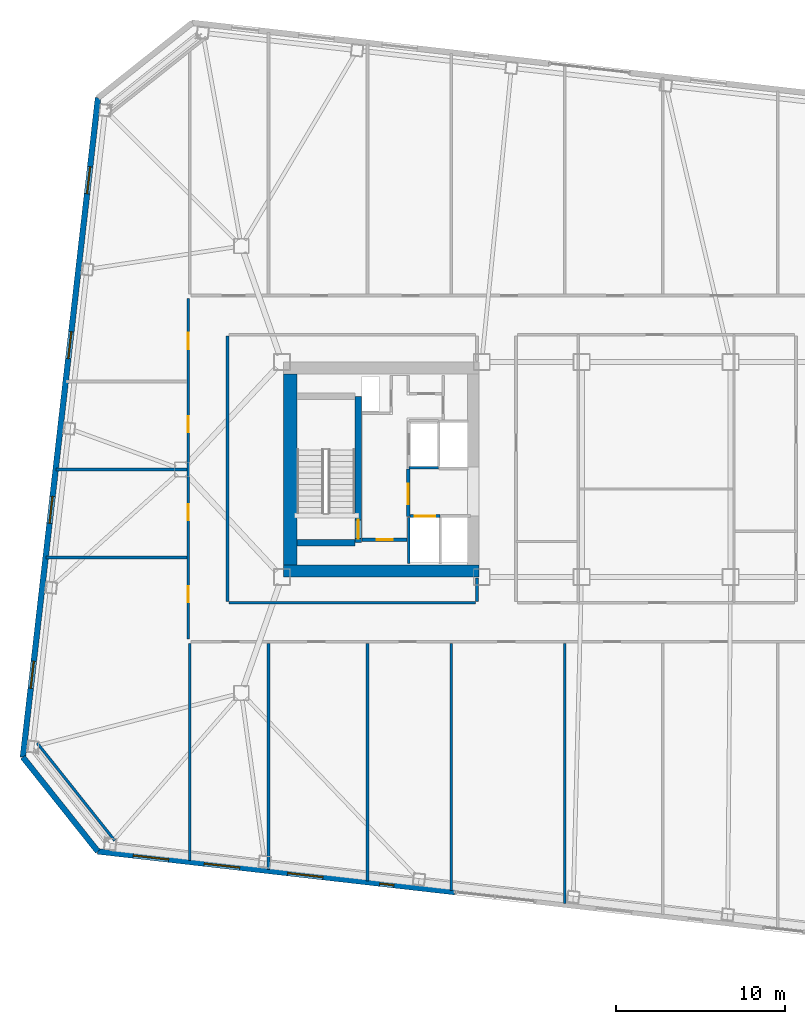
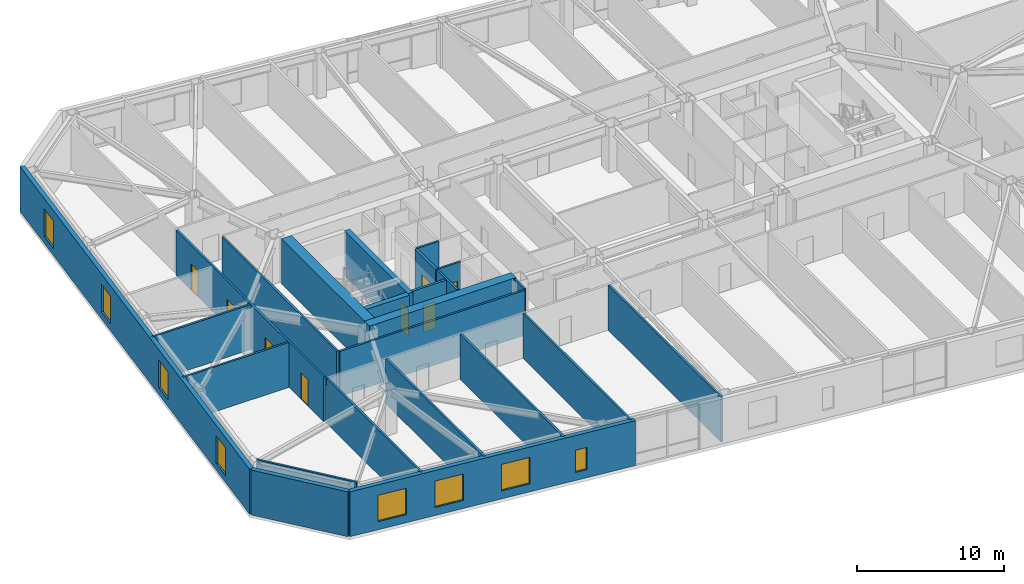
# One storey, part 11 of 21: 24 walls, 8 doors, 8 windows, 16 openings.
"""IFC4 building model written with IfcOpenShell, lengths in metres."""

from ifc_helpers import new_model, si_unit, direction, frame, frame_2d, origin, place, context, subcontext, project, spatial, rectangle, extrude, material, layer, layer_set, type_object, element, fill, save


model = new_model("IFC4")

# Units and contexts
model_context = context("Model", 3, precision=1e-05, world=origin(), true_north=direction((0.0, 1.0)))
body_context = subcontext(model_context, "Body", "Model", "MODEL_VIEW")
ifc_project = project(units=[si_unit("LENGTHUNIT", "METRE"), si_unit("AREAUNIT", "SQUARE_METRE"), si_unit("VOLUMEUNIT", "CUBIC_METRE"), si_unit("PLANEANGLEUNIT", "RADIAN"), si_unit("MASSUNIT", "GRAM", prefix="KILO")], contexts=[model_context])

# Site, building, storey
site_placement = place(None, origin())
site = spatial("IfcSite", under=ifc_project, at=site_placement, CompositionType="ELEMENT")
building_placement = place(site_placement, origin())
building = spatial("IfcBuilding", under=site, at=building_placement, Name="Tavrogorsk Clinical Tower", CompositionType="ELEMENT")
storey_placement = place(building_placement, frame((0.0, 0.0, 133.39990234375)))
storey = spatial("IfcBuildingStorey", under=building, at=storey_placement, Name="L30", CompositionType="ELEMENT", Elevation=133.39990234375)

# Wall, opening, door
ifc_material_1 = material(Name="Concrete B60", Category="concrete")
ifc_layer_1 = layer(ifc_material_1, 0.199951171875)
ifc_layer_set_1 = layer_set([ifc_layer_1], Name="Concrete B60")
wall_type_1 = type_object("IfcWallType", Name="CoreFireWall_200", PredefinedType="SOLIDWALL", material=ifc_layer_set_1)
wall_1_placement = place(storey_placement, frame((-17.3798828125, -4.139892578125, 0.0), z_axis=(0.0, 0.0, 1.0), x_axis=(1.0, 0.0, 0.0)))
wall_1 = element("IfcWall", 1, at=wall_1_placement, inside=storey, type_object=wall_type_1, Name="L30 Core West South Core Room Fire Wall", PredefinedType="SOLIDWALL", context=body_context, shape_type="SweptSolid", body=[
    extrude(rectangle(XDim=2.659912109375, YDim=0.199951171875, at=frame_2d((1.330078125, 0.0))), origin(), (0.0, 0.0, 1.0), 3.739990234375),
])
opening_1_placement = place(wall_1_placement, frame((0.8798828125, 0.0, 0.0)))
opening_1 = element("IfcOpeningElement", 2, at=opening_1_placement, cuts=wall_1, Name="Opening ID-02", PredefinedType="OPENING", context=body_context, shape_type="SweptSolid", body=[
    extrude(rectangle(XDim=0.949951171875, YDim=2.199951171875, at=frame_2d((0.47509765625, 1.10009765625))), frame((0.0, 0.10986328125, 0.0), z_axis=(0.0, -1.0, 0.0), x_axis=(1.0, 0.0, 0.0)), (0.0, 0.0, 1.0), 0.219970703125),
])
ifc_material_2 = material(Name="Laminated timber leaf on aluminium frame", Category="wood")
door_type_1 = type_object("IfcDoorType", Name="InteriorDoor_ID02_950", OperationType="NOTDEFINED", PredefinedType="DOOR", material=ifc_material_2)
door_1_placement = place(opening_1_placement, origin())
door_1 = element("IfcDoor", 3, at=door_1_placement, inside=storey, type_object=door_type_1, Name="L30 Core West South Core Room Door", OperationType="SINGLE_SWING_RIGHT", OverallHeight=2.199951171875, OverallWidth=0.949951171875, PredefinedType="DOOR", context=body_context, shape_type="SweptSolid", body=[
    extrude(rectangle(XDim=0.949951171875, YDim=2.199951171875, at=frame_2d((0.47509765625, 1.10009765625))), frame((0.0, 0.02490234375, 0.0), z_axis=(0.0, -1.0, 0.0), x_axis=(1.0, 0.0, 0.0)), (0.0, 0.0, 1.0), 0.050048828125),
])
fill(opening_1, door_1)

wall_2_placement = place(storey_placement, frame((-14.639892578125, -2.780029296875, 0.0), z_axis=(0.0, 0.0, 1.0), x_axis=(0.0, 1.0, 0.0)))
wall_2 = element("IfcWall", 4, at=wall_2_placement, inside=storey, type_object=wall_type_1, Name="L30 Core West Firefighting Lobby Fire Wall", PredefinedType="SOLIDWALL", context=body_context, shape_type="SweptSolid", body=[
    extrude(rectangle(XDim=2.820068359375, YDim=0.199951171875, at=frame_2d((1.41015625, 0.0))), origin(), (0.0, 0.0, 1.0), 3.739990234375),
])
opening_2_placement = place(wall_2_placement, frame((0.72998046875, 0.0, 0.0)))
opening_2 = element("IfcOpeningElement", 5, at=opening_2_placement, cuts=wall_2, Name="Opening FD-01", PredefinedType="OPENING", context=body_context, shape_type="SweptSolid", body=[
    extrude(rectangle(XDim=1.199951171875, YDim=2.199951171875, at=frame_2d((0.60009765625, 1.10009765625))), frame((0.0, 0.10986328125, 0.0), z_axis=(0.0, -1.0, 0.0), x_axis=(1.0, 0.0, 0.0)), (0.0, 0.0, 1.0), 0.219970703125),
])
ifc_material_3 = material(Name="Galvanised steel fire-rated door assembly", Category="steel")
door_type_2 = type_object("IfcDoorType", Name="FireDoor_FD01_1200", OperationType="NOTDEFINED", PredefinedType="DOOR", material=ifc_material_3)
door_2_placement = place(opening_2_placement, origin())
door_2 = element("IfcDoor", 6, at=door_2_placement, inside=storey, type_object=door_type_2, Name="L30 Core West Firefighting Lobby Entry Door", OperationType="SINGLE_SWING_LEFT", OverallHeight=2.199951171875, OverallWidth=1.199951171875, PredefinedType="DOOR", context=body_context, shape_type="SweptSolid", body=[
    extrude(rectangle(XDim=1.199951171875, YDim=2.199951171875, at=frame_2d((0.60009765625, 1.10009765625))), frame((0.0, 0.02490234375, 0.0), z_axis=(0.0, -1.0, 0.0), x_axis=(1.0, 0.0, 0.0)), (0.0, 0.0, 1.0), 0.050048828125),
])
fill(opening_2, door_2)

# Wall
ifc_material_4 = material(Name="Lightweight concrete blockwork B15", Category="masonry")
ifc_layer_2 = layer(ifc_material_4, 0.159912109375)
ifc_layer_set_2 = layer_set([ifc_layer_2], Name="Lightweight concrete blockwork B15")
wall_type_2 = type_object("IfcWallType", Name="PartitionWall_160", PredefinedType="PARTITIONING", material=ifc_layer_set_2)
wall_3_placement = place(storey_placement, frame((-36.555908203125, -16.161865234375, 0.0), z_axis=(0.0, 0.0, 1.0), x_axis=(0.622522641622, -0.782601789334, 0.0)))
element("IfcWall", 7, at=wall_3_placement, inside=storey, type_object=wall_type_2, Name="L30 Corner Exoskeleton Brace Furring Wall 4", PredefinedType="PARTITIONING", context=body_context, shape_type="SweptSolid", body=[
    extrude(rectangle(XDim=7.354248046875, YDim=0.159912109375, at=frame_2d((3.67724609375, 0.0))), origin(), (0.0, 0.0, 1.0), 3.739990234375),
])

# Wall, openings, doors
wall_4_placement = place(storey_placement, frame((-27.6298828125, -10.014892578125, 0.0), z_axis=(0.0, 0.0, 1.0), x_axis=(0.0, 1.0, 0.0)))
wall_4 = element("IfcWall", 8, at=wall_4_placement, inside=storey, type_object=wall_type_2, Name="L30 Corridor Partition 01", PredefinedType="PARTITIONING", context=body_context, shape_type="SweptSolid", body=[
    extrude(rectangle(XDim=20.1298828125, YDim=0.159912109375, at=frame_2d((10.06494140625, 0.0))), origin(), (0.0, 0.0, 1.0), 3.739990234375),
])
opening_3_placement = place(wall_4_placement, frame((2.169189453125, 0.0, 0.0)))
opening_3 = element("IfcOpeningElement", 9, at=opening_3_placement, cuts=wall_4, Name="Opening ID-02", PredefinedType="OPENING", context=body_context, shape_type="SweptSolid", body=[
    extrude(rectangle(XDim=0.949951171875, YDim=2.199951171875, at=frame_2d((0.47509765625, 1.10009765625))), frame((0.0, 0.08984375, 0.0), z_axis=(0.0, -1.0, 0.0), x_axis=(1.0, 0.0, 0.0)), (0.0, 0.0, 1.0), 0.179931640625),
])
opening_4_placement = place(wall_4_placement, frame((7.02490234375, 0.0, 0.0)))
opening_4 = element("IfcOpeningElement", 10, at=opening_4_placement, cuts=wall_4, Name="Opening ID-02", PredefinedType="OPENING", context=body_context, shape_type="SweptSolid", body=[
    extrude(rectangle(XDim=0.949951171875, YDim=2.199951171875, at=frame_2d((0.47509765625, 1.10009765625))), frame((0.0, 0.08984375, 0.0), z_axis=(0.0, -1.0, 0.0), x_axis=(1.0, 0.0, 0.0)), (0.0, 0.0, 1.0), 0.179931640625),
])
opening_5_placement = place(wall_4_placement, frame((12.22509765625, 0.0, 0.0)))
opening_5 = element("IfcOpeningElement", 11, at=opening_5_placement, cuts=wall_4, Name="Opening ID-02", PredefinedType="OPENING", context=body_context, shape_type="SweptSolid", body=[
    extrude(rectangle(XDim=0.949951171875, YDim=2.199951171875, at=frame_2d((0.47509765625, 1.10009765625))), frame((0.0, 0.08984375, 0.0), z_axis=(0.0, -1.0, 0.0), x_axis=(1.0, 0.0, 0.0)), (0.0, 0.0, 1.0), 0.179931640625),
])
opening_6_placement = place(wall_4_placement, frame((17.130859375, 0.0, 0.0)))
opening_6 = element("IfcOpeningElement", 12, at=opening_6_placement, cuts=wall_4, Name="Opening ID-02", PredefinedType="OPENING", context=body_context, shape_type="SweptSolid", body=[
    extrude(rectangle(XDim=0.949951171875, YDim=2.199951171875, at=frame_2d((0.47509765625, 1.10009765625))), frame((0.0, 0.08984375, 0.0), z_axis=(0.0, -1.0, 0.0), x_axis=(1.0, 0.0, 0.0)), (0.0, 0.0, 1.0), 0.179931640625),
])
door_3_placement = place(opening_3_placement, origin())
door_3 = element("IfcDoor", 13, at=door_3_placement, inside=storey, type_object=door_type_1, Name="L30 W Solarium Day Room & Lounge 1 Door", OperationType="SINGLE_SWING_RIGHT", OverallHeight=2.199951171875, OverallWidth=0.949951171875, PredefinedType="DOOR", context=body_context, shape_type="SweptSolid", body=[
    extrude(rectangle(XDim=0.949951171875, YDim=2.199951171875, at=frame_2d((0.47509765625, 1.10009765625))), frame((0.0, 0.02490234375, 0.0), z_axis=(0.0, -1.0, 0.0), x_axis=(1.0, 0.0, 0.0)), (0.0, 0.0, 1.0), 0.050048828125),
])
fill(opening_3, door_3)
door_4_placement = place(opening_4_placement, origin())
door_4 = element("IfcDoor", 14, at=door_4_placement, inside=storey, type_object=door_type_1, Name="L30 W Rehabilitation Therapy Suite 2 Door", OperationType="SINGLE_SWING_LEFT", OverallHeight=2.199951171875, OverallWidth=0.949951171875, PredefinedType="DOOR", context=body_context, shape_type="SweptSolid", body=[
    extrude(rectangle(XDim=0.949951171875, YDim=2.199951171875, at=frame_2d((0.47509765625, 1.10009765625))), frame((0.0, 0.02490234375, 0.0), z_axis=(0.0, -1.0, 0.0), x_axis=(1.0, 0.0, 0.0)), (0.0, 0.0, 1.0), 0.050048828125),
])
fill(opening_4, door_4)
door_5_placement = place(opening_5_placement, origin())
door_5 = element("IfcDoor", 15, at=door_5_placement, inside=storey, type_object=door_type_1, Name="L30 W Sub-Acute Observation Suite 3 Door", OperationType="SINGLE_SWING_RIGHT", OverallHeight=2.199951171875, OverallWidth=0.949951171875, PredefinedType="DOOR", context=body_context, shape_type="SweptSolid", body=[
    extrude(rectangle(XDim=0.949951171875, YDim=2.199951171875, at=frame_2d((0.47509765625, 1.10009765625))), frame((0.0, 0.02490234375, 0.0), z_axis=(0.0, -1.0, 0.0), x_axis=(1.0, 0.0, 0.0)), (0.0, 0.0, 1.0), 0.050048828125),
])
fill(opening_5, door_5)
door_6_placement = place(opening_6_placement, origin())
door_6 = element("IfcDoor", 16, at=door_6_placement, inside=storey, type_object=door_type_1, Name="L30 W Family Consultation Lounge 4 Door", OperationType="SINGLE_SWING_LEFT", OverallHeight=2.199951171875, OverallWidth=0.949951171875, PredefinedType="DOOR", context=body_context, shape_type="SweptSolid", body=[
    extrude(rectangle(XDim=0.949951171875, YDim=2.199951171875, at=frame_2d((0.47509765625, 1.10009765625))), frame((0.0, 0.02490234375, 0.0), z_axis=(0.0, -1.0, 0.0), x_axis=(1.0, 0.0, 0.0)), (0.0, 0.0, 1.0), 0.050048828125),
])
fill(opening_6, door_6)

# Walls
wall_5_placement = place(storey_placement, frame((-10.580078125, -7.784912109375, 0.0), z_axis=(0.0, 0.0, 1.0), x_axis=(0.0, 1.0, 0.0)))
element("IfcWall", 17, at=wall_5_placement, inside=storey, type_object=wall_type_2, Name="L30 Corridor Partition 14", PredefinedType="PARTITIONING", context=body_context, shape_type="SweptSolid", body=[
    extrude(rectangle(XDim=1.364990234375, YDim=0.159912109375, at=frame_2d((0.6826171875, 0.0))), origin(), (0.0, 0.0, 1.0), 3.739990234375),
])
wall_6_placement = place(storey_placement, frame((-25.320068359375, 7.885009765625, 0.0), z_axis=(0.0, 0.0, 1.0), x_axis=(0.0, -1.0, 0.0)))
element("IfcWall", 18, at=wall_6_placement, inside=storey, type_object=wall_type_2, Name="L30 Corridor Partition 17", PredefinedType="PARTITIONING", context=body_context, shape_type="SweptSolid", body=[
    extrude(rectangle(XDim=15.669921875, YDim=0.159912109375, at=frame_2d((7.8349609375, 0.0))), origin(), (0.0, 0.0, 1.0), 3.739990234375),
])
wall_7_placement = place(storey_placement, frame((-25.235107421875, -7.8701171875, 0.0), z_axis=(0.0, 0.0, 1.0), x_axis=(1.0, 0.0, 0.0)))
element("IfcWall", 19, at=wall_7_placement, inside=storey, type_object=wall_type_2, Name="L30 Corridor Partition 18", PredefinedType="PARTITIONING", context=body_context, shape_type="SweptSolid", body=[
    extrude(rectangle(XDim=14.570068359375, YDim=0.159912109375, at=frame_2d((7.28515625, 0.0))), origin(), (0.0, 0.0, 1.0), 3.739990234375),
])
wall_8_placement = place(storey_placement, frame((-27.550048828125, -23.1064453125, 0.0), z_axis=(0.0, 0.0, 1.0), x_axis=(0.0, 1.0, 0.0)))
element("IfcWall", 20, at=wall_8_placement, inside=storey, type_object=wall_type_2, Name="L30 SW Wing Closure Partition", PredefinedType="PARTITIONING", context=body_context, shape_type="SweptSolid", body=[
    extrude(rectangle(XDim=12.841552734375, YDim=0.159912109375, at=frame_2d((6.4208984375, 0.0))), origin(), (0.0, 0.0, 1.0), 3.739990234375),
])
wall_9_placement = place(storey_placement, frame((-22.89990234375, -23.63623046875, 0.0), z_axis=(0.0, 0.0, 1.0), x_axis=(0.0, 1.0, 0.0)))
element("IfcWall", 21, at=wall_9_placement, inside=storey, type_object=wall_type_2, Name="L30 South Room Partition 1", PredefinedType="PARTITIONING", context=body_context, shape_type="SweptSolid", body=[
    extrude(rectangle(XDim=13.371337890625, YDim=0.159912109375, at=frame_2d((6.685546875, 0.0))), origin(), (0.0, 0.0, 1.0), 3.739990234375),
])
wall_10_placement = place(storey_placement, frame((-12.10009765625, -24.86669921875, 0.0), z_axis=(0.0, 0.0, 1.0), x_axis=(0.0, 1.0, 0.0)))
element("IfcWall", 22, at=wall_10_placement, inside=storey, type_object=wall_type_2, Name="L30 South Room Partition 2", PredefinedType="PARTITIONING", context=body_context, shape_type="SweptSolid", body=[
    extrude(rectangle(XDim=14.601806640625, YDim=0.159912109375, at=frame_2d((7.30078125, 0.0))), origin(), (0.0, 0.0, 1.0), 3.739990234375),
])
wall_11_placement = place(storey_placement, frame((-17.050048828125, -24.302734375, 0.0), z_axis=(0.0, 0.0, 1.0), x_axis=(0.0, 1.0, 0.0)))
element("IfcWall", 23, at=wall_11_placement, inside=storey, type_object=wall_type_2, Name="L30 South Sub-Partition 2", PredefinedType="PARTITIONING", context=body_context, shape_type="SweptSolid", body=[
    extrude(rectangle(XDim=14.037841796875, YDim=0.159912109375, at=frame_2d((7.01904296875, 0.0))), origin(), (0.0, 0.0, 1.0), 3.739990234375),
])
wall_12_placement = place(storey_placement, frame((-5.39990234375, -25.630126953125, 0.0), z_axis=(0.0, 0.0, 1.0), x_axis=(0.0, 1.0, 0.0)))
element("IfcWall", 24, at=wall_12_placement, inside=storey, type_object=wall_type_2, Name="L30 South Sub-Partition 3", PredefinedType="PARTITIONING", context=body_context, shape_type="SweptSolid", body=[
    extrude(rectangle(XDim=15.365234375, YDim=0.159912109375, at=frame_2d((7.6826171875, 0.0))), origin(), (0.0, 0.0, 1.0), 3.739990234375),
])
wall_13_placement = place(storey_placement, frame((-36.0419921875, -5.199951171875, 0.0), z_axis=(0.0, 0.0, 1.0), x_axis=(1.0, 0.0, 0.0)))
element("IfcWall", 25, at=wall_13_placement, inside=storey, type_object=wall_type_2, Name="L30 W Wing Divider 1", PredefinedType="PARTITIONING", context=body_context, shape_type="SweptSolid", body=[
    extrude(rectangle(XDim=8.326904296875, YDim=0.159912109375, at=frame_2d((4.16357421875, 0.0))), origin(), (0.0, 0.0, 1.0), 3.739990234375),
])
wall_14_placement = place(storey_placement, frame((-35.449462890625, 0.0, 0.0), z_axis=(0.0, 0.0, 1.0), x_axis=(1.0, 0.0, 0.0)))
element("IfcWall", 26, at=wall_14_placement, inside=storey, type_object=wall_type_2, Name="L30 W Wing Divider 2", PredefinedType="PARTITIONING", context=body_context, shape_type="SweptSolid", body=[
    extrude(rectangle(XDim=7.734375, YDim=0.159912109375, at=frame_2d((3.8671875, 0.0))), origin(), (0.0, 0.0, 1.0), 3.739990234375),
])

# Wall, openings, windows
ifc_material_5 = material(Name="Precast concrete B45 with limestone cladding", Category="masonry")
ifc_layer_3 = layer(ifc_material_5, 0.340087890625)
ifc_layer_set_3 = layer_set([ifc_layer_3], Name="Precast concrete B45 with limestone cladding")
wall_type_3 = type_object("IfcWallType", Name="PrecastLimestoneWall_340", PredefinedType="STANDARD", material=ifc_layer_set_3)
wall_15_placement = place(storey_placement, frame((-32.977294921875, -22.55859375, 0.0), z_axis=(0.0, 0.0, 1.0), x_axis=(0.993571214605, -0.113208840243, 0.0)))
wall_15 = element("IfcWall", 27, at=wall_15_placement, inside=storey, type_object=wall_type_3, Name="L30 S Limestone Facade Wall 1", PredefinedType="STANDARD", context=body_context, shape_type="SweptSolid", body=[
    extrude(rectangle(XDim=21.22265625, YDim=0.340087890625, at=frame_2d((10.611328125, 0.0))), origin(), (0.0, 0.0, 1.0), 3.739990234375),
])
opening_7_placement = place(wall_15_placement, frame((2.10791015625, 0.0, 0.669921875)))
opening_7 = element("IfcOpeningElement", 28, at=opening_7_placement, cuts=wall_15, Name="Opening WN-03", PredefinedType="OPENING", context=body_context, shape_type="SweptSolid", body=[
    extrude(rectangle(XDim=2.10009765625, YDim=2.199951171875, at=frame_2d((1.050048828125, 1.10009765625))), frame((0.0, 0.179931640625, 0.0), z_axis=(0.0, -1.0, 0.0), x_axis=(1.0, 0.0, 0.0)), (0.0, 0.0, 1.0), 0.360107421875),
])
opening_8_placement = place(wall_15_placement, frame((6.329345703125, 0.0, 0.669921875)))
opening_8 = element("IfcOpeningElement", 29, at=opening_8_placement, cuts=wall_15, Name="Opening WN-03", PredefinedType="OPENING", context=body_context, shape_type="SweptSolid", body=[
    extrude(rectangle(XDim=2.10009765625, YDim=2.199951171875, at=frame_2d((1.050048828125, 1.10009765625))), frame((0.0, 0.179931640625, 0.0), z_axis=(0.0, -1.0, 0.0), x_axis=(1.0, 0.0, 0.0)), (0.0, 0.0, 1.0), 0.360107421875),
])
opening_9_placement = place(wall_15_placement, frame((11.284912109375, 0.0, 0.669921875)))
opening_9 = element("IfcOpeningElement", 30, at=opening_9_placement, cuts=wall_15, Name="Opening WN-03", PredefinedType="OPENING", context=body_context, shape_type="SweptSolid", body=[
    extrude(rectangle(XDim=2.10009765625, YDim=2.199951171875, at=frame_2d((1.050048828125, 1.10009765625))), frame((0.0, 0.179931640625, 0.0), z_axis=(0.0, -1.0, 0.0), x_axis=(1.0, 0.0, 0.0)), (0.0, 0.0, 1.0), 0.360107421875),
])
opening_10_placement = place(wall_15_placement, frame((16.75634765625, 0.0, 0.669921875)))
opening_10 = element("IfcOpeningElement", 31, at=opening_10_placement, cuts=wall_15, Name="Opening WN-06", PredefinedType="OPENING", context=body_context, shape_type="SweptSolid", body=[
    extrude(rectangle(XDim=0.85009765625, YDim=1.85009765625, at=frame_2d((0.425048828125, 0.925048828125))), frame((0.0, 0.179931640625, 0.0), z_axis=(0.0, -1.0, 0.0), x_axis=(1.0, 0.0, 0.0)), (0.0, 0.0, 1.0), 0.360107421875),
])
ifc_material_6 = material(Name="Thermally broken aluminium frame and triple IGU", Category="aluminium")
window_type_1 = type_object("IfcWindowType", Name="MullionSubWin_850x1850", PartitioningType="SINGLE_PANEL", PredefinedType="WINDOW", material=ifc_material_6)
window_1_placement = place(opening_10_placement, origin())
window_1 = element("IfcWindow", 32, at=window_1_placement, inside=storey, type_object=window_type_1, Name="L30 S Mullion Split Window 04B", OverallHeight=1.85009765625, OverallWidth=0.85009765625, PartitioningType="SINGLE_PANEL", PredefinedType="WINDOW", context=body_context, shape_type="SweptSolid", body=[
    extrude(rectangle(XDim=0.85009765625, YDim=1.85009765625, at=frame_2d((0.425048828125, 0.925048828125))), frame((0.0, 0.030029296875, 0.0), z_axis=(0.0, -1.0, 0.0), x_axis=(1.0, 0.0, 0.0)), (0.0, 0.0, 1.0), 0.06005859375),
])
fill(opening_10, window_1)
ifc_material_7 = material(Name="Thermally broken aluminium frame and triple IGU", Category="aluminium")
window_type_2 = type_object("IfcWindowType", Name="PatientTwinWin_2100x2200", PartitioningType="DOUBLE_PANEL_VERTICAL", PredefinedType="WINDOW", material=ifc_material_7)
window_2_placement = place(opening_7_placement, origin())
window_2 = element("IfcWindow", 33, at=window_2_placement, inside=storey, type_object=window_type_2, Name="L30 S Chicago Window 01", OverallHeight=2.199951171875, OverallWidth=2.10009765625, PartitioningType="SINGLE_PANEL", PredefinedType="WINDOW", context=body_context, shape_type="SweptSolid", body=[
    extrude(rectangle(XDim=2.10009765625, YDim=2.199951171875, at=frame_2d((1.050048828125, 1.10009765625))), frame((0.0, 0.030029296875, 0.0), z_axis=(0.0, -1.0, 0.0), x_axis=(1.0, 0.0, 0.0)), (0.0, 0.0, 1.0), 0.06005859375),
])
fill(opening_7, window_2)
window_3_placement = place(opening_8_placement, origin())
window_3 = element("IfcWindow", 34, at=window_3_placement, inside=storey, type_object=window_type_2, Name="L30 S Chicago Window 02", OverallHeight=2.199951171875, OverallWidth=2.10009765625, PartitioningType="SINGLE_PANEL", PredefinedType="WINDOW", context=body_context, shape_type="SweptSolid", body=[
    extrude(rectangle(XDim=2.10009765625, YDim=2.199951171875, at=frame_2d((1.050048828125, 1.10009765625))), frame((0.0, 0.030029296875, 0.0), z_axis=(0.0, -1.0, 0.0), x_axis=(1.0, 0.0, 0.0)), (0.0, 0.0, 1.0), 0.06005859375),
])
fill(opening_8, window_3)
window_4_placement = place(opening_9_placement, origin())
window_4 = element("IfcWindow", 35, at=window_4_placement, inside=storey, type_object=window_type_2, Name="L30 S Chicago Window 03", OverallHeight=2.199951171875, OverallWidth=2.10009765625, PartitioningType="SINGLE_PANEL", PredefinedType="WINDOW", context=body_context, shape_type="SweptSolid", body=[
    extrude(rectangle(XDim=2.10009765625, YDim=2.199951171875, at=frame_2d((1.050048828125, 1.10009765625))), frame((0.0, 0.030029296875, 0.0), z_axis=(0.0, -1.0, 0.0), x_axis=(1.0, 0.0, 0.0)), (0.0, 0.0, 1.0), 0.06005859375),
])
fill(opening_9, window_4)

wall_16_placement = place(storey_placement, frame((-32.968017578125, 21.95654296875, 0.0), z_axis=(0.0, 0.0, 1.0), x_axis=(-0.113201605824, -0.993572038877, 0.0)))
wall_16 = element("IfcWall", 36, at=wall_16_placement, inside=storey, type_object=wall_type_3, Name="L30 W Pleated Limestone Wing Wall", PredefinedType="STANDARD", context=body_context, shape_type="SweptSolid", body=[
    extrude(rectangle(XDim=39.199951171875, YDim=0.340087890625, at=frame_2d((19.60009765625, 0.0))), origin(), (0.0, 0.0, 1.0), 3.739990234375),
])
opening_11_placement = place(wall_16_placement, frame((4.10009765625, 0.0, 0.580078125)))
opening_11 = element("IfcOpeningElement", 37, at=opening_11_placement, cuts=wall_16, Name="Opening WN-07", PredefinedType="OPENING", context=body_context, shape_type="SweptSolid", body=[
    extrude(rectangle(XDim=1.60009765625, YDim=2.300048828125, at=frame_2d((0.800048828125, 1.14990234375))), frame((0.0, 0.179931640625, 0.0), z_axis=(0.0, -1.0, 0.0), x_axis=(1.0, 0.0, 0.0)), (0.0, 0.0, 1.0), 0.360107421875),
])
opening_12_placement = place(wall_16_placement, frame((13.89990234375, 0.0, 0.580078125)))
opening_12 = element("IfcOpeningElement", 38, at=opening_12_placement, cuts=wall_16, Name="Opening WN-07", PredefinedType="OPENING", context=body_context, shape_type="SweptSolid", body=[
    extrude(rectangle(XDim=1.60009765625, YDim=2.300048828125, at=frame_2d((0.800048828125, 1.14990234375))), frame((0.0, 0.179931640625, 0.0), z_axis=(0.0, -1.0, 0.0), x_axis=(1.0, 0.0, 0.0)), (0.0, 0.0, 1.0), 0.360107421875),
])
opening_13_placement = place(wall_16_placement, frame((23.699951171875, 0.0, 0.580078125)))
opening_13 = element("IfcOpeningElement", 39, at=opening_13_placement, cuts=wall_16, Name="Opening WN-07", PredefinedType="OPENING", context=body_context, shape_type="SweptSolid", body=[
    extrude(rectangle(XDim=1.60009765625, YDim=2.300048828125, at=frame_2d((0.800048828125, 1.14990234375))), frame((0.0, 0.179931640625, 0.0), z_axis=(0.0, -1.0, 0.0), x_axis=(1.0, 0.0, 0.0)), (0.0, 0.0, 1.0), 0.360107421875),
])
opening_14_placement = place(wall_16_placement, frame((33.5, 0.0, 0.580078125)))
opening_14 = element("IfcOpeningElement", 40, at=opening_14_placement, cuts=wall_16, Name="Opening WN-07", PredefinedType="OPENING", context=body_context, shape_type="SweptSolid", body=[
    extrude(rectangle(XDim=1.60009765625, YDim=2.300048828125, at=frame_2d((0.800048828125, 1.14990234375))), frame((0.0, 0.179931640625, 0.0), z_axis=(0.0, -1.0, 0.0), x_axis=(1.0, 0.0, 0.0)), (0.0, 0.0, 1.0), 0.360107421875),
])
ifc_material_8 = material(Name="Thermally broken aluminium frame and triple IGU", Category="aluminium")
window_type_3 = type_object("IfcWindowType", Name="PleatSlotWin_1600x2300", PartitioningType="SINGLE_PANEL", PredefinedType="WINDOW", material=ifc_material_8)
window_5_placement = place(opening_11_placement, origin())
window_5 = element("IfcWindow", 41, at=window_5_placement, inside=storey, type_object=window_type_3, Name="L30 W Pleat Slot Window 1", OverallHeight=2.300048828125, OverallWidth=1.60009765625, PartitioningType="SINGLE_PANEL", PredefinedType="WINDOW", context=body_context, shape_type="SweptSolid", body=[
    extrude(rectangle(XDim=1.60009765625, YDim=2.300048828125, at=frame_2d((0.800048828125, 1.14990234375))), frame((0.0, 0.030029296875, 0.0), z_axis=(0.0, -1.0, 0.0), x_axis=(1.0, 0.0, 0.0)), (0.0, 0.0, 1.0), 0.06005859375),
])
fill(opening_11, window_5)
window_6_placement = place(opening_12_placement, origin())
window_6 = element("IfcWindow", 42, at=window_6_placement, inside=storey, type_object=window_type_3, Name="L30 W Pleat Slot Window 2", OverallHeight=2.300048828125, OverallWidth=1.60009765625, PartitioningType="SINGLE_PANEL", PredefinedType="WINDOW", context=body_context, shape_type="SweptSolid", body=[
    extrude(rectangle(XDim=1.60009765625, YDim=2.300048828125, at=frame_2d((0.800048828125, 1.14990234375))), frame((0.0, 0.030029296875, 0.0), z_axis=(0.0, -1.0, 0.0), x_axis=(1.0, 0.0, 0.0)), (0.0, 0.0, 1.0), 0.06005859375),
])
fill(opening_12, window_6)
window_7_placement = place(opening_13_placement, origin())
window_7 = element("IfcWindow", 43, at=window_7_placement, inside=storey, type_object=window_type_3, Name="L30 W Pleat Slot Window 3", OverallHeight=2.300048828125, OverallWidth=1.60009765625, PartitioningType="SINGLE_PANEL", PredefinedType="WINDOW", context=body_context, shape_type="SweptSolid", body=[
    extrude(rectangle(XDim=1.60009765625, YDim=2.300048828125, at=frame_2d((0.800048828125, 1.14990234375))), frame((0.0, 0.030029296875, 0.0), z_axis=(0.0, -1.0, 0.0), x_axis=(1.0, 0.0, 0.0)), (0.0, 0.0, 1.0), 0.06005859375),
])
fill(opening_13, window_7)
window_8_placement = place(opening_14_placement, origin())
window_8 = element("IfcWindow", 44, at=window_8_placement, inside=storey, type_object=window_type_3, Name="L30 W Pleat Slot Window 4", OverallHeight=2.300048828125, OverallWidth=1.60009765625, PartitioningType="SINGLE_PANEL", PredefinedType="WINDOW", context=body_context, shape_type="SweptSolid", body=[
    extrude(rectangle(XDim=1.60009765625, YDim=2.300048828125, at=frame_2d((0.800048828125, 1.14990234375))), frame((0.0, 0.030029296875, 0.0), z_axis=(0.0, -1.0, 0.0), x_axis=(1.0, 0.0, 0.0)), (0.0, 0.0, 1.0), 0.06005859375),
])
fill(opening_14, window_8)

# Walls
wall_17_placement = place(storey_placement, frame((-37.405517578125, -16.991455078125, 0.0), z_axis=(0.0, 0.0, 1.0), x_axis=(0.622507800567, -0.78261359446, 0.0)))
element("IfcWall", 45, at=wall_17_placement, inside=storey, type_object=wall_type_3, Name="L30 Chamfered Corner Wall 4", PredefinedType="STANDARD", context=body_context, shape_type="SweptSolid", body=[
    extrude(rectangle(XDim=7.113525390625, YDim=0.340087890625, at=frame_2d((3.556640625, 0.0))), origin(), (0.0, 0.0, 1.0), 3.739990234375),
])
ifc_material_9 = material(Name="Lightweight concrete blockwork B25", Category="masonry")
ifc_layer_4 = layer(ifc_material_9, 0.159912109375)
ifc_layer_set_4 = layer_set([ifc_layer_4], Name="Lightweight concrete blockwork B25")
wall_type_4 = type_object("IfcWallType", Name="ShaftWall_160", PredefinedType="PARTITIONING", material=ifc_layer_set_4)
wall_18_placement = place(storey_placement, frame((-14.60009765625, 0.10009765625, 0.0), z_axis=(0.0, 0.0, 1.0), x_axis=(1.0, 0.0, 0.0)))
element("IfcWall", 46, at=wall_18_placement, inside=storey, type_object=wall_type_4, Name="L30 FFL-W Shaft South Wall", PredefinedType="PARTITIONING", context=body_context, shape_type="SweptSolid", body=[
    extrude(rectangle(XDim=1.760009765625, YDim=0.159912109375, at=frame_2d((0.8798828125, 0.0))), origin(), (0.0, 0.0, 1.0), 3.739990234375),
])

# Wall, opening, door
wall_19_placement = place(storey_placement, frame((-14.530029296875, -2.75, 0.0), z_axis=(0.0, 0.0, 1.0), x_axis=(1.0, 0.0, 0.0)))
wall_19 = element("IfcWall", 47, at=wall_19_placement, inside=storey, type_object=wall_type_4, Name="L30 LP-L1 Lift Shaft Portal Wall", PredefinedType="PARTITIONING", context=body_context, shape_type="SweptSolid", body=[
    extrude(rectangle(XDim=1.760009765625, YDim=0.159912109375, at=frame_2d((0.8798828125, 0.0))), origin(), (0.0, 0.0, 1.0), 3.739990234375),
])
opening_15_placement = place(wall_19_placement, frame((0.280029296875, 0.0, 0.0)))
opening_15 = element("IfcOpeningElement", 48, at=opening_15_placement, cuts=wall_19, Name="Opening LD", PredefinedType="OPENING", context=body_context, shape_type="SweptSolid", body=[
    extrude(rectangle(XDim=1.199951171875, YDim=2.199951171875, at=frame_2d((0.60009765625, 1.10009765625))), frame((0.0, 0.08984375, 0.0), z_axis=(0.0, -1.0, 0.0), x_axis=(1.0, 0.0, 0.0)), (0.0, 0.0, 1.0), 0.179931640625),
])
ifc_material_10 = material(Name="Brushed stainless steel AISI 304 sliding doors", Category="steel")
door_type_3 = type_object("IfcDoorType", Name="LiftLandingDoor_LD_1200", OperationType="SLIDING_TO_LEFT", PredefinedType="DOOR", material=ifc_material_10)
door_7_placement = place(opening_15_placement, origin())
door_7 = element("IfcDoor", 49, at=door_7_placement, inside=storey, type_object=door_type_3, Name="L30 LP-L1 Sliding Lift Landing Door", OperationType="SLIDING_TO_LEFT", OverallHeight=2.199951171875, OverallWidth=1.199951171875, PredefinedType="DOOR", context=body_context, shape_type="SweptSolid", body=[
    extrude(rectangle(XDim=1.199951171875, YDim=2.199951171875, at=frame_2d((0.60009765625, 1.10009765625))), frame((0.0, 0.02490234375, 0.0), z_axis=(0.0, -1.0, 0.0), x_axis=(1.0, 0.0, 0.0)), (0.0, 0.0, 1.0), 0.050048828125),
])
fill(opening_15, door_7)

# Wall
wall_20_placement = place(storey_placement, frame((-14.610107421875, -5.5400390625, 0.0), z_axis=(0.0, 0.0, 1.0), x_axis=(0.0, 1.0, 0.0)))
element("IfcWall", 50, at=wall_20_placement, inside=storey, type_object=wall_type_4, Name="L30 LP-L1 Lift Hoistway Outer Cheek Wall", PredefinedType="PARTITIONING", context=body_context, shape_type="SweptSolid", body=[
    extrude(rectangle(XDim=2.699951171875, YDim=0.159912109375, at=frame_2d((1.35009765625, 0.0))), origin(), (0.0, 0.0, 1.0), 3.739990234375),
])

# Wall, opening, door
ifc_material_11 = material(Name="Concrete B80", Category="concrete")
ifc_layer_5 = layer(ifc_material_11, 0.39990234375)
ifc_layer_set_5 = layer_set([ifc_layer_5], Name="Concrete B80")
wall_type_5 = type_object("IfcWallType", Name="ShearWall_400", PredefinedType="SHEAR", material=ifc_layer_set_5)
wall_21_placement = place(storey_placement, frame((-17.60009765625, -4.324951171875, 0.0), z_axis=(0.0, 0.0, 1.0), x_axis=(0.0, 1.0, 0.0)))
wall_21 = element("IfcWall", 51, at=wall_21_placement, inside=storey, type_object=wall_type_5, Name="L30 Core West Stair Shaft Inner Shear Wall", PredefinedType="SHEAR", context=body_context, shape_type="SweptSolid", body=[
    extrude(rectangle(XDim=8.64990234375, YDim=0.39990234375, at=frame_2d((4.324951171875, 0.0))), origin(), (0.0, 0.0, 1.0), 3.739990234375),
])
opening_16_placement = place(wall_21_placement, frame((0.25, 0.0, 0.0)))
opening_16 = element("IfcOpeningElement", 52, at=opening_16_placement, cuts=wall_21, Name="Opening SD-01", PredefinedType="OPENING", context=body_context, shape_type="SweptSolid", body=[
    extrude(rectangle(XDim=1.10009765625, YDim=2.199951171875, at=frame_2d((0.550048828125, 1.10009765625))), frame((0.0, 0.2099609375, 0.0), z_axis=(0.0, -1.0, 0.0), x_axis=(1.0, 0.0, 0.0)), (0.0, 0.0, 1.0), 0.419921875),
])
ifc_material_12 = material(Name="Galvanised steel smoke-tight fire door assembly", Category="steel")
door_type_4 = type_object("IfcDoorType", Name="StairFireDoor_SD01_1100", OperationType="NOTDEFINED", PredefinedType="DOOR", material=ifc_material_12)
door_8_placement = place(opening_16_placement, origin())
door_8 = element("IfcDoor", 53, at=door_8_placement, inside=storey, type_object=door_type_4, Name="L30 ST-W Exit Stair Door", OperationType="SINGLE_SWING_RIGHT", OverallHeight=2.199951171875, OverallWidth=1.10009765625, PredefinedType="DOOR", context=body_context, shape_type="SweptSolid", body=[
    extrude(rectangle(XDim=1.10009765625, YDim=2.199951171875, at=frame_2d((0.550048828125, 1.10009765625))), frame((0.0, 0.02490234375, 0.0), z_axis=(0.0, -1.0, 0.0), x_axis=(1.0, 0.0, 0.0)), (0.0, 0.0, 1.0), 0.050048828125),
])
fill(opening_16, door_8)

# Walls
wall_22_placement = place(storey_placement, frame((-21.199951171875, -4.324951171875, 0.0), z_axis=(0.0, 0.0, 1.0), x_axis=(1.0, 0.0, 0.0)))
element("IfcWall", 54, at=wall_22_placement, inside=storey, type_object=wall_type_5, Name="L30 Core West Stair Shaft South Shear Wall", PredefinedType="SHEAR", context=body_context, shape_type="SweptSolid", body=[
    extrude(rectangle(XDim=3.39990234375, YDim=0.39990234375, at=frame_2d((1.699951171875, 0.0))), origin(), (0.0, 0.0, 1.0), 3.739990234375),
])
ifc_material_13 = material(Name="Concrete B80", Category="concrete")
ifc_layer_6 = layer(ifc_material_13, 0.699951171875)
ifc_layer_set_6 = layer_set([ifc_layer_6], Name="Concrete B80")
wall_type_6 = type_object("IfcWallType", Name="ShearWall_700", PredefinedType="SHEAR", material=ifc_layer_set_6)
wall_23_placement = place(storey_placement, frame((-22.0, -6.0, 0.0), z_axis=(0.0, 0.0, 1.0), x_axis=(1.0, 0.0, 0.0)))
element("IfcWall", 55, at=wall_23_placement, inside=storey, type_object=wall_type_6, Name="L30 Core West South Shear Wall", PredefinedType="SHEAR", context=body_context, shape_type="SweptSolid", body=[
    extrude(rectangle(XDim=11.550048828125, YDim=0.699951171875, at=frame_2d((5.77490234375, 0.0))), origin(), (0.0, 0.0, 1.0), 3.739990234375),
])
ifc_material_14 = material(Name="Concrete B80", Category="concrete")
ifc_layer_7 = layer(ifc_material_14, 0.800048828125)
ifc_layer_set_7 = layer_set([ifc_layer_7], Name="Concrete B80")
wall_type_7 = type_object("IfcWallType", Name="ShearWall_800", PredefinedType="SHEAR", material=ifc_layer_set_7)
wall_24_placement = place(storey_placement, frame((-21.60009765625, -5.64990234375, 0.0), z_axis=(0.0, 0.0, 1.0), x_axis=(0.0, 1.0, 0.0)))
element("IfcWall", 56, at=wall_24_placement, inside=storey, type_object=wall_type_7, Name="L30 Core West End Shear Wall", PredefinedType="SHEAR", context=body_context, shape_type="SweptSolid", body=[
    extrude(rectangle(XDim=11.2998046875, YDim=0.800048828125, at=frame_2d((5.64990234375, 0.0))), origin(), (0.0, 0.0, 1.0), 3.739990234375),
])

save(model, "model.ifc")
